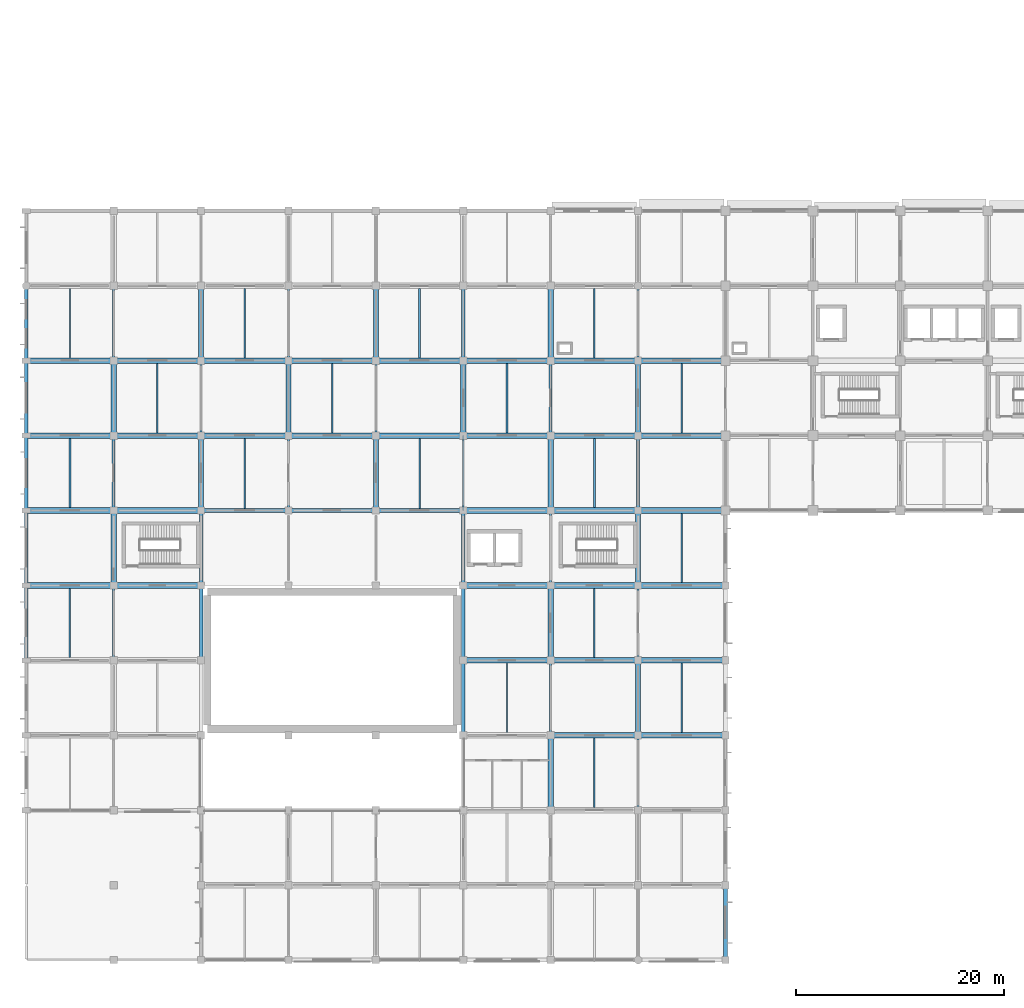
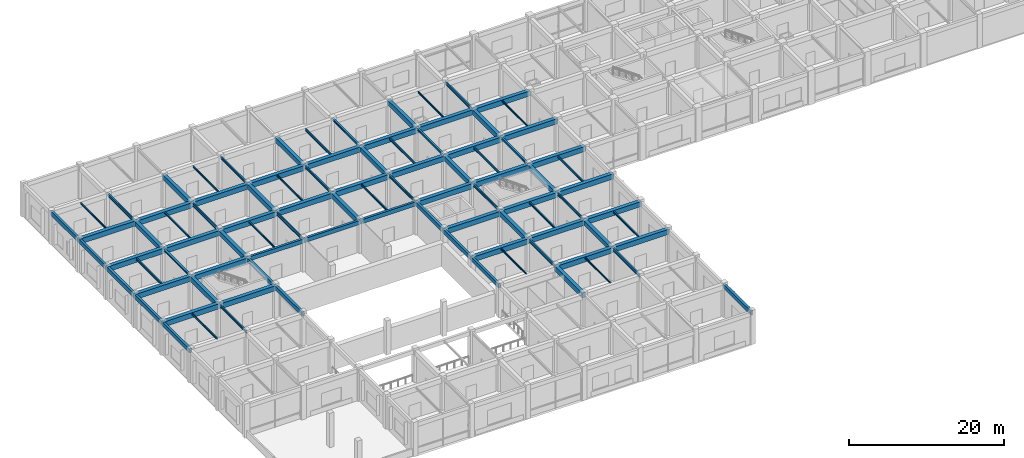
# One storey, part 5 of 41: 94 beams.
"""IFC4 building model written with IfcOpenShell, lengths in metres."""

from ifc_helpers import new_model, si_unit, derived_unit, direction, frame, origin, origin_2d, place, context, subcontext, project, spatial, rectangle, i_section, extrude, material, material_profile, profile_set, type_object, element, save


model = new_model("IFC4")

# Units and contexts
model_context = context("Model", 3, precision=1e-05, world=origin(), true_north=direction((0.0, 1.0)))
body_context = subcontext(model_context, "Body", "Model", "MODEL_VIEW")
ifc_project = project(units=[si_unit("LENGTHUNIT", "METRE"), si_unit("AREAUNIT", "SQUARE_METRE"), si_unit("VOLUMEUNIT", "CUBIC_METRE"), si_unit("PLANEANGLEUNIT", "RADIAN"), si_unit("MASSUNIT", "GRAM", prefix="KILO"), derived_unit("THERMALTRANSMITTANCEUNIT", [(si_unit("MASSUNIT", "GRAM", prefix="KILO"), 1), (si_unit("TIMEUNIT", "SECOND"), -3), (si_unit("THERMODYNAMICTEMPERATUREUNIT", "KELVIN"), -1)])], contexts=[model_context])

# Site, building, storey
site_placement = place(None, origin())
site = spatial("IfcSite", under=ifc_project, at=site_placement, CompositionType="ELEMENT")
building_placement = place(site_placement, origin())
building = spatial("IfcBuilding", under=site, at=building_placement, Name="Veldstrom Oceanarium and Marine Research Institute", CompositionType="ELEMENT")
storey_placement = place(building_placement, frame((0.0, 0.0, 6.0)))
storey = spatial("IfcBuildingStorey", under=building, at=storey_placement, Name="L01", CompositionType="ELEMENT", Elevation=6.0)

# Beams
ifc_material_1 = material(Name="Concrete C40/50", Category="concrete")
ifc_material_profile_1 = material_profile(ifc_material_1, rectangle(XDim=0.550048828125, YDim=0.800048828125, at=origin_2d()), Name="RC-BM-550x800")
ifc_profile_set_1 = profile_set([ifc_material_profile_1], Name="Concrete C40/50")
beam_type_1 = type_object("IfcBeamType", Name="STR-BM-B02", PredefinedType="BEAM", material=ifc_profile_set_1)
for number, where, z_axis, x_axis, name in (
    (1, (0.0, 36.0, 4.77001953125), (1.0, 0.0, 0.0), (0.0, 1.0, 0.0), "Primary Beam B02 L01-1135"),
    (2, (0.0, 43.199951171875, 4.77001953125), (1.0, 0.0, 0.0), (0.0, 1.0, 0.0), "Primary Beam B02 L01-1136"),
    (3, (0.0, 50.39990234375, 4.77001953125), (1.0, 0.0, 0.0), (0.0, 1.0, 0.0), "Primary Beam B02 L01-1137"),
    (4, (0.0, 57.60009765625, 4.77001953125), (1.0, 0.0, 0.0), (0.0, 1.0, 0.0), "Primary Beam B02 L01-1138"),
):
    element("IfcBeam", number, at=place(storey_placement, frame(where, z_axis=z_axis, x_axis=x_axis)), inside=storey, type_object=beam_type_1, Name=name, PredefinedType="BEAM", context=body_context, shape_type="SweptSolid", body=[
        extrude(rectangle(XDim=0.550048828125, YDim=0.800048828125, at=origin_2d()), origin(), (0.0, 0.0, 1.0), 8.39990234375),
    ])
for number, where, z_axis, x_axis, name in (
    (5, (8.39990234375, 36.0, 4.669921875), (1.0, 0.0, 0.0), (0.0, 1.0, 0.0), "Primary Beam B02 L01-1144"),
    (6, (8.39990234375, 43.199951171875, 4.669921875), (1.0, 0.0, 0.0), (0.0, 1.0, 0.0), "Primary Beam B02 L01-1145"),
    (7, (8.39990234375, 50.39990234375, 4.669921875), (1.0, 0.0, 0.0), (0.0, 1.0, 0.0), "Primary Beam B02 L01-1146"),
    (8, (8.39990234375, 57.60009765625, 4.669921875), (1.0, 0.0, 0.0), (0.0, 1.0, 0.0), "Primary Beam B02 L01-1147"),
):
    element("IfcBeam", number, at=place(storey_placement, frame(where, z_axis=z_axis, x_axis=x_axis)), inside=storey, type_object=beam_type_1, Name=name, PredefinedType="BEAM", context=body_context, shape_type="SweptSolid", body=[
        extrude(rectangle(XDim=0.550048828125, YDim=0.800048828125, at=origin_2d()), origin(), (0.0, 0.0, 1.0), 8.400146484375),
    ])
for number, where, z_axis, x_axis, name in (
    (9, (16.800048828125, 50.39990234375, 4.669921875), (1.0, 0.0, 0.0), (0.0, 1.0, 0.0), "Primary Beam B02 L01-1154"),
    (10, (16.800048828125, 57.60009765625, 4.669921875), (1.0, 0.0, 0.0), (0.0, 1.0, 0.0), "Primary Beam B02 L01-1155"),
):
    element("IfcBeam", number, at=place(storey_placement, frame(where, z_axis=z_axis, x_axis=x_axis)), inside=storey, type_object=beam_type_1, Name=name, PredefinedType="BEAM", context=body_context, shape_type="SweptSolid", body=[
        extrude(rectangle(XDim=0.550048828125, YDim=0.800048828125, at=origin_2d()), origin(), (0.0, 0.0, 1.0), 8.39990234375),
    ])
for number, where, z_axis, x_axis, name in (
    (11, (25.199951171875, 50.39990234375, 4.669921875), (1.0, 0.0, 0.0), (0.0, 1.0, 0.0), "Primary Beam B02 L01-1162"),
    (12, (25.199951171875, 57.60009765625, 4.669921875), (1.0, 0.0, 0.0), (0.0, 1.0, 0.0), "Primary Beam B02 L01-1163"),
):
    element("IfcBeam", number, at=place(storey_placement, frame(where, z_axis=z_axis, x_axis=x_axis)), inside=storey, type_object=beam_type_1, Name=name, PredefinedType="BEAM", context=body_context, shape_type="SweptSolid", body=[
        extrude(rectangle(XDim=0.550048828125, YDim=0.800048828125, at=origin_2d()), origin(), (0.0, 0.0, 1.0), 8.400146484375),
    ])
for number, where, z_axis, x_axis, name in (
    (13, (33.60009765625, 50.39990234375, 4.669921875), (1.0, 0.0, 0.0), (0.0, 1.0, 0.0), "Primary Beam B02 L01-1170"),
    (14, (33.60009765625, 57.60009765625, 4.669921875), (1.0, 0.0, 0.0), (0.0, 1.0, 0.0), "Primary Beam B02 L01-1171"),
    (15, (42.0, 28.800048828125, 4.669921875), (1.0, 0.0, 0.0), (0.0, 1.0, 0.0), "Primary Beam B02 L01-1178"),
    (16, (42.0, 36.0, 4.669921875), (1.0, 0.0, 0.0), (0.0, 1.0, 0.0), "Primary Beam B02 L01-1179"),
    (17, (42.0, 43.199951171875, 4.669921875), (1.0, 0.0, 0.0), (0.0, 1.0, 0.0), "Primary Beam B02 L01-1180"),
    (18, (42.0, 50.39990234375, 4.669921875), (1.0, 0.0, 0.0), (0.0, 1.0, 0.0), "Primary Beam B02 L01-1181"),
    (19, (42.0, 57.60009765625, 4.669921875), (1.0, 0.0, 0.0), (0.0, 1.0, 0.0), "Primary Beam B02 L01-1182"),
):
    element("IfcBeam", number, at=place(storey_placement, frame(where, z_axis=z_axis, x_axis=x_axis)), inside=storey, type_object=beam_type_1, Name=name, PredefinedType="BEAM", context=body_context, shape_type="SweptSolid", body=[
        extrude(rectangle(XDim=0.550048828125, YDim=0.800048828125, at=origin_2d()), origin(), (0.0, 0.0, 1.0), 8.39990234375),
    ])
for number, where, z_axis, x_axis, name in (
    (20, (50.39990234375, 21.60009765625, 4.669921875), (1.0, 0.0, 0.0), (0.0, 1.0, 0.0), "Primary Beam B02 L01-1188"),
    (21, (50.39990234375, 28.800048828125, 4.669921875), (1.0, 0.0, 0.0), (0.0, 1.0, 0.0), "Primary Beam B02 L01-1189"),
    (22, (50.39990234375, 36.0, 4.669921875), (1.0, 0.0, 0.0), (0.0, 1.0, 0.0), "Primary Beam B02 L01-1190"),
    (23, (50.39990234375, 43.199951171875, 4.669921875), (1.0, 0.0, 0.0), (0.0, 1.0, 0.0), "Primary Beam B02 L01-1191"),
    (24, (50.39990234375, 50.39990234375, 4.669921875), (1.0, 0.0, 0.0), (0.0, 1.0, 0.0), "Primary Beam B02 L01-1192"),
    (25, (50.39990234375, 57.60009765625, 4.669921875), (1.0, 0.0, 0.0), (0.0, 1.0, 0.0), "Primary Beam B02 L01-1193"),
):
    element("IfcBeam", number, at=place(storey_placement, frame(where, z_axis=z_axis, x_axis=x_axis)), inside=storey, type_object=beam_type_1, Name=name, PredefinedType="BEAM", context=body_context, shape_type="SweptSolid", body=[
        extrude(rectangle(XDim=0.550048828125, YDim=0.800048828125, at=origin_2d()), origin(), (0.0, 0.0, 1.0), 8.400146484375),
    ])
for number, where, z_axis, x_axis, name in (
    (26, (58.800048828125, 21.60009765625, 4.669921875), (1.0, 0.0, 0.0), (0.0, 1.0, 0.0), "Primary Beam B02 L01-1199"),
    (27, (58.800048828125, 28.800048828125, 4.669921875), (1.0, 0.0, 0.0), (0.0, 1.0, 0.0), "Primary Beam B02 L01-1200"),
    (28, (58.800048828125, 36.0, 4.669921875), (1.0, 0.0, 0.0), (0.0, 1.0, 0.0), "Primary Beam B02 L01-1201"),
    (29, (58.800048828125, 43.199951171875, 4.669921875), (1.0, 0.0, 0.0), (0.0, 1.0, 0.0), "Primary Beam B02 L01-1202"),
    (30, (58.800048828125, 50.39990234375, 4.669921875), (1.0, 0.0, 0.0), (0.0, 1.0, 0.0), "Primary Beam B02 L01-1203"),
    (31, (58.800048828125, 57.60009765625, 4.669921875), (1.0, 0.0, 0.0), (0.0, 1.0, 0.0), "Primary Beam B02 L01-1204"),
):
    element("IfcBeam", number, at=place(storey_placement, frame(where, z_axis=z_axis, x_axis=x_axis)), inside=storey, type_object=beam_type_1, Name=name, PredefinedType="BEAM", context=body_context, shape_type="SweptSolid", body=[
        extrude(rectangle(XDim=0.550048828125, YDim=0.800048828125, at=origin_2d()), origin(), (0.0, 0.0, 1.0), 8.39990234375),
    ])
ifc_material_2 = material(Name="Concrete C40/50", Category="concrete")
ifc_material_profile_2 = material_profile(ifc_material_2, rectangle(XDim=0.5, YDim=0.75, at=origin_2d()), Name="RC-BM-500x750")
ifc_profile_set_2 = profile_set([ifc_material_profile_2], Name="Concrete C40/50")
beam_type_2 = type_object("IfcBeamType", Name="STR-BM-B03", PredefinedType="BEAM", material=ifc_profile_set_2)
beam_1_placement = place(storey_placement, frame((8.39990234375, 36.0, 4.695068359375), z_axis=(0.0, 1.0, 0.0), x_axis=(-1.0, 0.0, 0.0)))
element("IfcBeam", 32, at=beam_1_placement, inside=storey, type_object=beam_type_2, Name="Primary Beam B03 L01-1296", PredefinedType="BEAM", context=body_context, shape_type="SweptSolid", body=[
    extrude(rectangle(XDim=0.5, YDim=0.75, at=origin_2d()), origin(), (0.0, 0.0, 1.0), 7.199951171875),
])
beam_2_placement = place(storey_placement, frame((8.39990234375, 50.39990234375, 4.695068359375), z_axis=(0.0, 1.0, 0.0), x_axis=(-1.0, 0.0, 0.0)))
element("IfcBeam", 33, at=beam_2_placement, inside=storey, type_object=beam_type_2, Name="Primary Beam B03 L01-1298", PredefinedType="BEAM", context=body_context, shape_type="SweptSolid", body=[
    extrude(rectangle(XDim=0.5, YDim=0.75, at=origin_2d()), origin(), (0.0, 0.0, 1.0), 7.2001953125),
])
for number, where, z_axis, x_axis, name in (
    (34, (16.800048828125, 43.199951171875, 4.695068359375), (0.0, 1.0, 0.0), (-1.0, 0.0, 0.0), "Primary Beam B03 L01-1307"),
    (35, (16.800048828125, 57.60009765625, 4.695068359375), (0.0, 1.0, 0.0), (-1.0, 0.0, 0.0), "Primary Beam B03 L01-1309"),
):
    element("IfcBeam", number, at=place(storey_placement, frame(where, z_axis=z_axis, x_axis=x_axis)), inside=storey, type_object=beam_type_2, Name=name, PredefinedType="BEAM", context=body_context, shape_type="SweptSolid", body=[
        extrude(rectangle(XDim=0.5, YDim=0.75, at=origin_2d()), origin(), (0.0, 0.0, 1.0), 7.199951171875),
    ])
beam_3_placement = place(storey_placement, frame((25.199951171875, 50.39990234375, 4.695068359375), z_axis=(0.0, 1.0, 0.0), x_axis=(-1.0, 0.0, 0.0)))
element("IfcBeam", 36, at=beam_3_placement, inside=storey, type_object=beam_type_2, Name="Primary Beam B03 L01-1314", PredefinedType="BEAM", context=body_context, shape_type="SweptSolid", body=[
    extrude(rectangle(XDim=0.5, YDim=0.75, at=origin_2d()), origin(), (0.0, 0.0, 1.0), 7.2001953125),
])
for number, where, z_axis, x_axis, name in (
    (37, (33.60009765625, 43.199951171875, 4.695068359375), (0.0, 1.0, 0.0), (-1.0, 0.0, 0.0), "Primary Beam B03 L01-1319"),
    (38, (33.60009765625, 57.60009765625, 4.695068359375), (0.0, 1.0, 0.0), (-1.0, 0.0, 0.0), "Primary Beam B03 L01-1321"),
):
    element("IfcBeam", number, at=place(storey_placement, frame(where, z_axis=z_axis, x_axis=x_axis)), inside=storey, type_object=beam_type_2, Name=name, PredefinedType="BEAM", context=body_context, shape_type="SweptSolid", body=[
        extrude(rectangle(XDim=0.5, YDim=0.75, at=origin_2d()), origin(), (0.0, 0.0, 1.0), 7.199951171875),
    ])
for number, where, z_axis, x_axis, name in (
    (39, (42.0, 50.39990234375, 4.695068359375), (0.0, 1.0, 0.0), (-1.0, 0.0, 0.0), "Primary Beam B03 L01-1330"),
    (40, (50.39990234375, 14.39990234375, 4.695068359375), (0.0, 1.0, 0.0), (-1.0, 0.0, 0.0), "Primary Beam B03 L01-1335"),
):
    element("IfcBeam", number, at=place(storey_placement, frame(where, z_axis=z_axis, x_axis=x_axis)), inside=storey, type_object=beam_type_2, Name=name, PredefinedType="BEAM", context=body_context, shape_type="SweptSolid", body=[
        extrude(rectangle(XDim=0.5, YDim=0.75, at=origin_2d()), origin(), (0.0, 0.0, 1.0), 7.2001953125),
    ])
for number, where, z_axis, x_axis, name in (
    (41, (50.39990234375, 28.800048828125, 4.695068359375), (0.0, 1.0, 0.0), (-1.0, 0.0, 0.0), "Primary Beam B03 L01-1337"),
    (42, (50.39990234375, 43.199951171875, 4.695068359375), (0.0, 1.0, 0.0), (-1.0, 0.0, 0.0), "Primary Beam B03 L01-1339"),
    (43, (50.39990234375, 57.60009765625, 4.695068359375), (0.0, 1.0, 0.0), (-1.0, 0.0, 0.0), "Primary Beam B03 L01-1341"),
    (44, (58.800048828125, 21.60009765625, 4.695068359375), (0.0, 1.0, 0.0), (-1.0, 0.0, 0.0), "Primary Beam B03 L01-1346"),
    (45, (58.800048828125, 36.0, 4.695068359375), (0.0, 1.0, 0.0), (-1.0, 0.0, 0.0), "Primary Beam B03 L01-1348"),
):
    element("IfcBeam", number, at=place(storey_placement, frame(where, z_axis=z_axis, x_axis=x_axis)), inside=storey, type_object=beam_type_2, Name=name, PredefinedType="BEAM", context=body_context, shape_type="SweptSolid", body=[
        extrude(rectangle(XDim=0.5, YDim=0.75, at=origin_2d()), origin(), (0.0, 0.0, 1.0), 7.199951171875),
    ])
beam_4_placement = place(storey_placement, frame((58.800048828125, 50.39990234375, 4.695068359375), z_axis=(0.0, 1.0, 0.0), x_axis=(-1.0, 0.0, 0.0)))
element("IfcBeam", 46, at=beam_4_placement, inside=storey, type_object=beam_type_2, Name="Primary Beam B03 L01-1350", PredefinedType="BEAM", context=body_context, shape_type="SweptSolid", body=[
    extrude(rectangle(XDim=0.5, YDim=0.75, at=origin_2d()), origin(), (0.0, 0.0, 1.0), 7.2001953125),
])
ifc_material_3 = material(Name="Steel S355JR", Category="steel")
ifc_material_profile_3 = material_profile(ifc_material_3, i_section(OverallWidth=0.300048828125, OverallDepth=0.2900390625, WebThickness=0.008544921875, FlangeThickness=0.013916015625, FilletRadius=0.027099609375, at=origin_2d()), Name="HEA 300")
ifc_profile_set_3 = profile_set([ifc_material_profile_3], Name="Steel S355JR")
beam_type_3 = type_object("IfcBeamType", Name="STR-BM-SB10", PredefinedType="BEAM", material=ifc_profile_set_3)
for number, where, z_axis, x_axis, name in (
    (47, (8.39990234375, 43.199951171875, 4.925048828125), (0.0, 1.0, 0.0), (-1.0, 0.0, 0.0), "Steel Tie Beam SB10 L01-1297"),
    (48, (42.0, 57.60009765625, 4.925048828125), (0.0, 1.0, 0.0), (-1.0, 0.0, 0.0), "Steel Tie Beam SB10 L01-1331"),
):
    element("IfcBeam", number, at=place(storey_placement, frame(where, z_axis=z_axis, x_axis=x_axis)), inside=storey, type_object=beam_type_3, Name=name, PredefinedType="BEAM", context=body_context, shape_type="SweptSolid", body=[
        extrude(i_section(OverallWidth=0.300048828125, OverallDepth=0.2900390625, WebThickness=0.008544921875, FlangeThickness=0.013916015625, FilletRadius=0.027099609375, at=origin_2d()), origin(), (0.0, 0.0, 1.0), 7.199951171875),
    ])
beam_5_placement = place(storey_placement, frame((50.39990234375, 50.39990234375, 4.925048828125), z_axis=(0.0, 1.0, 0.0), x_axis=(-1.0, 0.0, 0.0)))
element("IfcBeam", 49, at=beam_5_placement, inside=storey, type_object=beam_type_3, Name="Steel Tie Beam SB10 L01-1340", PredefinedType="BEAM", context=body_context, shape_type="SweptSolid", body=[
    extrude(i_section(OverallWidth=0.300048828125, OverallDepth=0.2900390625, WebThickness=0.008544921875, FlangeThickness=0.013916015625, FilletRadius=0.027099609375, at=origin_2d()), origin(), (0.0, 0.0, 1.0), 7.2001953125),
])
beam_6_placement = place(storey_placement, frame((58.800048828125, 43.199951171875, 4.925048828125), z_axis=(0.0, 1.0, 0.0), x_axis=(-1.0, 0.0, 0.0)))
element("IfcBeam", 50, at=beam_6_placement, inside=storey, type_object=beam_type_3, Name="Steel Tie Beam SB10 L01-1349", PredefinedType="BEAM", context=body_context, shape_type="SweptSolid", body=[
    extrude(i_section(OverallWidth=0.300048828125, OverallDepth=0.2900390625, WebThickness=0.008544921875, FlangeThickness=0.013916015625, FilletRadius=0.027099609375, at=origin_2d()), origin(), (0.0, 0.0, 1.0), 7.199951171875),
])
ifc_material_4 = material(Name="Steel S355JR", Category="steel")
ifc_material_profile_4 = material_profile(ifc_material_4, i_section(OverallWidth=0.199951171875, OverallDepth=0.5, WebThickness=0.01025390625, FlangeThickness=0.01611328125, FilletRadius=0.02099609375, at=origin_2d()), Name="IPE 500")
ifc_profile_set_4 = profile_set([ifc_material_profile_4], Name="Steel S355JR")
beam_type_4 = type_object("IfcBeamType", Name="STR-BM-SB6", PredefinedType="BEAM", material=ifc_profile_set_4)
beam_7_placement = place(storey_placement, frame((8.39990234375, 57.60009765625, 4.820068359375), z_axis=(0.0, 1.0, 0.0), x_axis=(-1.0, 0.0, 0.0)))
element("IfcBeam", 51, at=beam_7_placement, inside=storey, type_object=beam_type_4, Name="Steel Tie Beam SB6 L01-1299", PredefinedType="BEAM", context=body_context, shape_type="SweptSolid", body=[
    extrude(i_section(OverallWidth=0.199951171875, OverallDepth=0.5, WebThickness=0.01025390625, FlangeThickness=0.01611328125, FilletRadius=0.02099609375, at=origin_2d()), origin(), (0.0, 0.0, 1.0), 7.199951171875),
])
beam_8_placement = place(storey_placement, frame((16.800048828125, 50.39990234375, 4.820068359375), z_axis=(0.0, 1.0, 0.0), x_axis=(-1.0, 0.0, 0.0)))
element("IfcBeam", 52, at=beam_8_placement, inside=storey, type_object=beam_type_4, Name="Steel Tie Beam SB6 L01-1308", PredefinedType="BEAM", context=body_context, shape_type="SweptSolid", body=[
    extrude(i_section(OverallWidth=0.199951171875, OverallDepth=0.5, WebThickness=0.01025390625, FlangeThickness=0.01611328125, FilletRadius=0.02099609375, at=origin_2d()), origin(), (0.0, 0.0, 1.0), 7.2001953125),
])
for number, where, z_axis, x_axis, name in (
    (53, (25.199951171875, 43.199951171875, 4.820068359375), (0.0, 1.0, 0.0), (-1.0, 0.0, 0.0), "Steel Tie Beam SB6 L01-1313"),
    (54, (50.39990234375, 21.60009765625, 4.820068359375), (0.0, 1.0, 0.0), (-1.0, 0.0, 0.0), "Steel Tie Beam SB6 L01-1336"),
):
    element("IfcBeam", number, at=place(storey_placement, frame(where, z_axis=z_axis, x_axis=x_axis)), inside=storey, type_object=beam_type_4, Name=name, PredefinedType="BEAM", context=body_context, shape_type="SweptSolid", body=[
        extrude(i_section(OverallWidth=0.199951171875, OverallDepth=0.5, WebThickness=0.01025390625, FlangeThickness=0.01611328125, FilletRadius=0.02099609375, at=origin_2d()), origin(), (0.0, 0.0, 1.0), 7.199951171875),
    ])
beam_9_placement = place(storey_placement, frame((58.800048828125, 14.39990234375, 4.820068359375), z_axis=(0.0, 1.0, 0.0), x_axis=(-1.0, 0.0, 0.0)))
element("IfcBeam", 55, at=beam_9_placement, inside=storey, type_object=beam_type_4, Name="Steel Tie Beam SB6 L01-1345", PredefinedType="BEAM", context=body_context, shape_type="SweptSolid", body=[
    extrude(i_section(OverallWidth=0.199951171875, OverallDepth=0.5, WebThickness=0.01025390625, FlangeThickness=0.01611328125, FilletRadius=0.02099609375, at=origin_2d()), origin(), (0.0, 0.0, 1.0), 7.2001953125),
])
beam_10_placement = place(storey_placement, frame((58.800048828125, 57.60009765625, 4.820068359375), z_axis=(0.0, 1.0, 0.0), x_axis=(-1.0, 0.0, 0.0)))
element("IfcBeam", 56, at=beam_10_placement, inside=storey, type_object=beam_type_4, Name="Steel Tie Beam SB6 L01-1351", PredefinedType="BEAM", context=body_context, shape_type="SweptSolid", body=[
    extrude(i_section(OverallWidth=0.199951171875, OverallDepth=0.5, WebThickness=0.01025390625, FlangeThickness=0.01611328125, FilletRadius=0.02099609375, at=origin_2d()), origin(), (0.0, 0.0, 1.0), 7.199951171875),
])
ifc_material_5 = material(Name="Steel S355JR", Category="steel")
ifc_material_profile_5 = material_profile(ifc_material_5, i_section(OverallWidth=0.179931640625, OverallDepth=0.39990234375, WebThickness=0.008544921875, FlangeThickness=0.013427734375, FilletRadius=0.02099609375, at=origin_2d()), Name="IPE 400")
ifc_profile_set_5 = profile_set([ifc_material_profile_5], Name="Steel S355JR")
beam_type_5 = type_object("IfcBeamType", Name="STR-BM-SB8", PredefinedType="BEAM", material=ifc_profile_set_5)
for number, where, z_axis, x_axis, name in (
    (57, (8.39990234375, 28.800048828125, 4.8701171875), (0.0, 1.0, 0.0), (-1.0, 0.0, 0.0), "Steel Tie Beam SB8 L01-1295"),
    (58, (25.199951171875, 57.60009765625, 4.8701171875), (0.0, 1.0, 0.0), (-1.0, 0.0, 0.0), "Steel Tie Beam SB8 L01-1315"),
):
    element("IfcBeam", number, at=place(storey_placement, frame(where, z_axis=z_axis, x_axis=x_axis)), inside=storey, type_object=beam_type_5, Name=name, PredefinedType="BEAM", context=body_context, shape_type="SweptSolid", body=[
        extrude(i_section(OverallWidth=0.179931640625, OverallDepth=0.39990234375, WebThickness=0.008544921875, FlangeThickness=0.013427734375, FilletRadius=0.02099609375, at=origin_2d()), origin(), (0.0, 0.0, 1.0), 7.199951171875),
    ])
beam_11_placement = place(storey_placement, frame((33.60009765625, 50.39990234375, 4.8701171875), z_axis=(0.0, 1.0, 0.0), x_axis=(-1.0, 0.0, 0.0)))
element("IfcBeam", 59, at=beam_11_placement, inside=storey, type_object=beam_type_5, Name="Steel Tie Beam SB8 L01-1320", PredefinedType="BEAM", context=body_context, shape_type="SweptSolid", body=[
    extrude(i_section(OverallWidth=0.179931640625, OverallDepth=0.39990234375, WebThickness=0.008544921875, FlangeThickness=0.013427734375, FilletRadius=0.02099609375, at=origin_2d()), origin(), (0.0, 0.0, 1.0), 7.2001953125),
])
for number, where, z_axis, x_axis, name in (
    (60, (42.0, 43.199951171875, 4.8701171875), (0.0, 1.0, 0.0), (-1.0, 0.0, 0.0), "Steel Tie Beam SB8 L01-1329"),
    (61, (50.39990234375, 36.0, 4.8701171875), (0.0, 1.0, 0.0), (-1.0, 0.0, 0.0), "Steel Tie Beam SB8 L01-1338"),
    (62, (58.800048828125, 28.800048828125, 4.8701171875), (0.0, 1.0, 0.0), (-1.0, 0.0, 0.0), "Steel Tie Beam SB8 L01-1347"),
):
    element("IfcBeam", number, at=place(storey_placement, frame(where, z_axis=z_axis, x_axis=x_axis)), inside=storey, type_object=beam_type_5, Name=name, PredefinedType="BEAM", context=body_context, shape_type="SweptSolid", body=[
        extrude(i_section(OverallWidth=0.179931640625, OverallDepth=0.39990234375, WebThickness=0.008544921875, FlangeThickness=0.013427734375, FilletRadius=0.02099609375, at=origin_2d()), origin(), (0.0, 0.0, 1.0), 7.199951171875),
    ])
ifc_material_6 = material(Name="Steel S355JR", Category="steel")
ifc_material_profile_6 = material_profile(ifc_material_6, i_section(OverallWidth=0.169921875, OverallDepth=0.360107421875, WebThickness=0.008056640625, FlangeThickness=0.0126953125, FilletRadius=0.01806640625, at=origin_2d()), Name="IPE 360")
ifc_profile_set_6 = profile_set([ifc_material_profile_6], Name="Steel S355JR")
beam_type_6 = type_object("IfcBeamType", Name="STR-JST-SJ1", PredefinedType="JOIST", material=ifc_profile_set_6)
for number, where, z_axis, x_axis, name in (
    (63, (4.199951171875, 43.47509765625, 4.989990234375), (0.0, 1.0, 0.0), (-1.0, 0.0, 0.0), "Secondary Joist SJ1 L01-1434"),
    (64, (37.800048828125, 57.875, 4.889892578125), (0.0, 1.0, 0.0), (-1.0, 0.0, 0.0), "Secondary Joist SJ1 L01-1447"),
    (65, (46.199951171875, 50.675048828125, 4.889892578125), (0.0, 1.0, 0.0), (-1.0, 0.0, 0.0), "Secondary Joist SJ1 L01-1450"),
    (66, (54.60009765625, 43.47509765625, 4.889892578125), (0.0, 1.0, 0.0), (-1.0, 0.0, 0.0), "Secondary Joist SJ1 L01-1455"),
):
    element("IfcBeam", number, at=place(storey_placement, frame(where, z_axis=z_axis, x_axis=x_axis)), inside=storey, type_object=beam_type_6, Name=name, PredefinedType="JOIST", context=body_context, shape_type="SweptSolid", body=[
        extrude(i_section(OverallWidth=0.169921875, OverallDepth=0.360107421875, WebThickness=0.008056640625, FlangeThickness=0.0126953125, FilletRadius=0.01806640625, at=origin_2d()), origin(), (0.0, 0.0, 1.0), 6.64990234375),
    ])
beam_12_placement = place(storey_placement, frame((63.0, 36.27490234375, 4.889892578125), z_axis=(0.0, 1.0, 0.0), x_axis=(-1.0, 0.0, 0.0)))
element("IfcBeam", 67, at=beam_12_placement, inside=storey, type_object=beam_type_6, Name="Secondary Joist SJ1 L01-1459", PredefinedType="JOIST", context=body_context, shape_type="SweptSolid", body=[
    extrude(i_section(OverallWidth=0.169921875, OverallDepth=0.360107421875, WebThickness=0.008056640625, FlangeThickness=0.0126953125, FilletRadius=0.01806640625, at=origin_2d()), origin(), (0.0, 0.0, 1.0), 6.650146484375),
])
ifc_material_7 = material(Name="Steel S355JR", Category="steel")
ifc_material_profile_7 = material_profile(ifc_material_7, i_section(OverallWidth=0.14990234375, OverallDepth=0.300048828125, WebThickness=0.007080078125, FlangeThickness=0.0107421875, FilletRadius=0.014892578125, at=origin_2d()), Name="IPE 300")
ifc_profile_set_7 = profile_set([ifc_material_profile_7], Name="Steel S355JR")
beam_type_7 = type_object("IfcBeamType", Name="STR-JST-SJ2", PredefinedType="JOIST", material=ifc_profile_set_7)
beam_13_placement = place(storey_placement, frame((4.199951171875, 29.074951171875, 5.02001953125), z_axis=(0.0, 1.0, 0.0), x_axis=(-1.0, 0.0, 0.0)))
element("IfcBeam", 68, at=beam_13_placement, inside=storey, type_object=beam_type_7, Name="Secondary Joist SJ2 L01-1433", PredefinedType="JOIST", context=body_context, shape_type="SweptSolid", body=[
    extrude(i_section(OverallWidth=0.14990234375, OverallDepth=0.300048828125, WebThickness=0.007080078125, FlangeThickness=0.0107421875, FilletRadius=0.014892578125, at=origin_2d()), origin(), (0.0, 0.0, 1.0), 6.650146484375),
])
for number, where, z_axis, x_axis, name in (
    (69, (21.0, 57.875, 4.919921875), (0.0, 1.0, 0.0), (-1.0, 0.0, 0.0), "Secondary Joist SJ2 L01-1441"),
    (70, (29.39990234375, 50.675048828125, 4.919921875), (0.0, 1.0, 0.0), (-1.0, 0.0, 0.0), "Secondary Joist SJ2 L01-1443"),
):
    element("IfcBeam", number, at=place(storey_placement, frame(where, z_axis=z_axis, x_axis=x_axis)), inside=storey, type_object=beam_type_7, Name=name, PredefinedType="JOIST", context=body_context, shape_type="SweptSolid", body=[
        extrude(i_section(OverallWidth=0.14990234375, OverallDepth=0.300048828125, WebThickness=0.007080078125, FlangeThickness=0.0107421875, FilletRadius=0.014892578125, at=origin_2d()), origin(), (0.0, 0.0, 1.0), 6.64990234375),
    ])
beam_14_placement = place(storey_placement, frame((37.800048828125, 43.375, 4.919921875), z_axis=(0.0, 1.0, 0.0), x_axis=(-1.0, 0.0, 0.0)))
element("IfcBeam", 71, at=beam_14_placement, inside=storey, type_object=beam_type_7, Name="Secondary Joist SJ2 L01-1446", PredefinedType="JOIST", context=body_context, shape_type="SweptSolid", body=[
    extrude(i_section(OverallWidth=0.14990234375, OverallDepth=0.300048828125, WebThickness=0.007080078125, FlangeThickness=0.0107421875, FilletRadius=0.014892578125, at=origin_2d()), origin(), (0.0, 0.0, 1.0), 6.75),
])
beam_15_placement = place(storey_placement, frame((54.60009765625, 29.074951171875, 4.919921875), z_axis=(0.0, 1.0, 0.0), x_axis=(-1.0, 0.0, 0.0)))
element("IfcBeam", 72, at=beam_15_placement, inside=storey, type_object=beam_type_7, Name="Secondary Joist SJ2 L01-1454", PredefinedType="JOIST", context=body_context, shape_type="SweptSolid", body=[
    extrude(i_section(OverallWidth=0.14990234375, OverallDepth=0.300048828125, WebThickness=0.007080078125, FlangeThickness=0.0107421875, FilletRadius=0.014892578125, at=origin_2d()), origin(), (0.0, 0.0, 1.0), 6.650146484375),
])
beam_16_placement = place(storey_placement, frame((63.0, 21.875, 4.919921875), z_axis=(0.0, 1.0, 0.0), x_axis=(-1.0, 0.0, 0.0)))
element("IfcBeam", 73, at=beam_16_placement, inside=storey, type_object=beam_type_7, Name="Secondary Joist SJ2 L01-1458", PredefinedType="JOIST", context=body_context, shape_type="SweptSolid", body=[
    extrude(i_section(OverallWidth=0.14990234375, OverallDepth=0.300048828125, WebThickness=0.007080078125, FlangeThickness=0.0107421875, FilletRadius=0.014892578125, at=origin_2d()), origin(), (0.0, 0.0, 1.0), 6.64990234375),
])
ifc_material_8 = material(Name="Steel S355JR", Category="steel")
ifc_material_profile_8 = material_profile(ifc_material_8, i_section(OverallWidth=0.135009765625, OverallDepth=0.27001953125, WebThickness=0.006591796875, FlangeThickness=0.01025390625, FilletRadius=0.014892578125, at=origin_2d()), Name="IPE 270")
ifc_profile_set_8 = profile_set([ifc_material_profile_8], Name="Steel S355JR")
beam_type_8 = type_object("IfcBeamType", Name="STR-JST-SJ3", PredefinedType="JOIST", material=ifc_profile_set_8)
for number, where, z_axis, x_axis, name in (
    (74, (4.199951171875, 57.875, 5.034912109375), (0.0, 1.0, 0.0), (-1.0, 0.0, 0.0), "Secondary Joist SJ3 L01-1435"),
    (75, (12.60009765625, 50.675048828125, 4.93505859375), (0.0, 1.0, 0.0), (-1.0, 0.0, 0.0), "Secondary Joist SJ3 L01-1437"),
):
    element("IfcBeam", number, at=place(storey_placement, frame(where, z_axis=z_axis, x_axis=x_axis)), inside=storey, type_object=beam_type_8, Name=name, PredefinedType="JOIST", context=body_context, shape_type="SweptSolid", body=[
        extrude(i_section(OverallWidth=0.135009765625, OverallDepth=0.27001953125, WebThickness=0.006591796875, FlangeThickness=0.01025390625, FilletRadius=0.014892578125, at=origin_2d()), origin(), (0.0, 0.0, 1.0), 6.64990234375),
    ])
beam_17_placement = place(storey_placement, frame((21.0, 43.375, 4.93505859375), z_axis=(0.0, 1.0, 0.0), x_axis=(-1.0, 0.0, 0.0)))
element("IfcBeam", 76, at=beam_17_placement, inside=storey, type_object=beam_type_8, Name="Secondary Joist SJ3 L01-1440", PredefinedType="JOIST", context=body_context, shape_type="SweptSolid", body=[
    extrude(i_section(OverallWidth=0.135009765625, OverallDepth=0.27001953125, WebThickness=0.006591796875, FlangeThickness=0.01025390625, FilletRadius=0.014892578125, at=origin_2d()), origin(), (0.0, 0.0, 1.0), 6.75),
])
for number, where, z_axis, x_axis, name in (
    (77, (46.199951171875, 21.875, 4.93505859375), (0.0, 1.0, 0.0), (-1.0, 0.0, 0.0), "Secondary Joist SJ3 L01-1449"),
    (78, (54.60009765625, 14.675048828125, 4.93505859375), (0.0, 1.0, 0.0), (-1.0, 0.0, 0.0), "Secondary Joist SJ3 L01-1453"),
    (79, (54.60009765625, 57.875, 4.93505859375), (0.0, 1.0, 0.0), (-1.0, 0.0, 0.0), "Secondary Joist SJ3 L01-1456"),
    (80, (63.0, 50.675048828125, 4.93505859375), (0.0, 1.0, 0.0), (-1.0, 0.0, 0.0), "Secondary Joist SJ3 L01-1460"),
):
    element("IfcBeam", number, at=place(storey_placement, frame(where, z_axis=z_axis, x_axis=x_axis)), inside=storey, type_object=beam_type_8, Name=name, PredefinedType="JOIST", context=body_context, shape_type="SweptSolid", body=[
        extrude(i_section(OverallWidth=0.135009765625, OverallDepth=0.27001953125, WebThickness=0.006591796875, FlangeThickness=0.01025390625, FilletRadius=0.014892578125, at=origin_2d()), origin(), (0.0, 0.0, 1.0), 6.64990234375),
    ])
ifc_material_9 = material(Name="Concrete C40/50", Category="concrete")
ifc_material_profile_9 = material_profile(ifc_material_9, rectangle(XDim=0.35009765625, YDim=0.64990234375, at=origin_2d()), Name="RC-SPN-350x650")
ifc_profile_set_9 = profile_set([ifc_material_profile_9], Name="Concrete C40/50")
beam_type_9 = type_object("IfcBeamType", Name="STR-SPN-SP1", PredefinedType="SPANDREL", material=ifc_profile_set_9)
beam_18_placement = place(storey_placement, frame((16.800048828125, 43.199951171875, 4.7451171875), z_axis=(1.0, 0.0, 0.0), x_axis=(0.0, 1.0, 0.0)))
element("IfcBeam", 81, at=beam_18_placement, inside=storey, type_object=beam_type_9, Name="Perimeter Spandrel SPB1 L01-1153", PredefinedType="SPANDREL", context=body_context, shape_type="SweptSolid", body=[
    extrude(rectangle(XDim=0.35009765625, YDim=0.64990234375, at=origin_2d()), origin(), (0.0, 0.0, 1.0), 8.39990234375),
])
beam_19_placement = place(storey_placement, frame((25.199951171875, 43.199951171875, 4.7451171875), z_axis=(1.0, 0.0, 0.0), x_axis=(0.0, 1.0, 0.0)))
element("IfcBeam", 82, at=beam_19_placement, inside=storey, type_object=beam_type_9, Name="Perimeter Spandrel SPB1 L01-1161", PredefinedType="SPANDREL", context=body_context, shape_type="SweptSolid", body=[
    extrude(rectangle(XDim=0.35009765625, YDim=0.64990234375, at=origin_2d()), origin(), (0.0, 0.0, 1.0), 8.400146484375),
])
beam_20_placement = place(storey_placement, frame((33.60009765625, 43.199951171875, 4.7451171875), z_axis=(1.0, 0.0, 0.0), x_axis=(0.0, 1.0, 0.0)))
element("IfcBeam", 83, at=beam_20_placement, inside=storey, type_object=beam_type_9, Name="Perimeter Spandrel SPB1 L01-1169", PredefinedType="SPANDREL", context=body_context, shape_type="SweptSolid", body=[
    extrude(rectangle(XDim=0.35009765625, YDim=0.64990234375, at=origin_2d()), origin(), (0.0, 0.0, 1.0), 8.39990234375),
])
for number, where, z_axis, x_axis, name in (
    (84, (0.0, 28.800048828125, 4.844970703125), (0.0, 1.0, 0.0), (-1.0, 0.0, 0.0), "Perimeter Spandrel SPB1 L01-1287"),
    (85, (0.0, 36.0, 4.844970703125), (0.0, 1.0, 0.0), (-1.0, 0.0, 0.0), "Perimeter Spandrel SPB1 L01-1288"),
    (86, (0.0, 43.199951171875, 4.844970703125), (0.0, 1.0, 0.0), (-1.0, 0.0, 0.0), "Perimeter Spandrel SPB1 L01-1289"),
):
    element("IfcBeam", number, at=place(storey_placement, frame(where, z_axis=z_axis, x_axis=x_axis)), inside=storey, type_object=beam_type_9, Name=name, PredefinedType="SPANDREL", context=body_context, shape_type="SweptSolid", body=[
        extrude(rectangle(XDim=0.35009765625, YDim=0.64990234375, at=origin_2d()), origin(), (0.0, 0.0, 1.0), 7.199951171875),
    ])
beam_21_placement = place(storey_placement, frame((0.0, 50.39990234375, 4.844970703125), z_axis=(0.0, 1.0, 0.0), x_axis=(-1.0, 0.0, 0.0)))
element("IfcBeam", 87, at=beam_21_placement, inside=storey, type_object=beam_type_9, Name="Perimeter Spandrel SPB1 L01-1290", PredefinedType="SPANDREL", context=body_context, shape_type="SweptSolid", body=[
    extrude(rectangle(XDim=0.35009765625, YDim=0.64990234375, at=origin_2d()), origin(), (0.0, 0.0, 1.0), 7.2001953125),
])
for number, where, z_axis, x_axis, name in (
    (88, (0.0, 57.60009765625, 4.844970703125), (0.0, 1.0, 0.0), (-1.0, 0.0, 0.0), "Perimeter Spandrel SPB1 L01-1291"),
    (89, (16.800048828125, 28.800048828125, 4.7451171875), (0.0, 1.0, 0.0), (-1.0, 0.0, 0.0), "Perimeter Spandrel SPB1 L01-1305"),
    (90, (16.800048828125, 36.0, 4.7451171875), (0.0, 1.0, 0.0), (-1.0, 0.0, 0.0), "Perimeter Spandrel SPB1 L01-1306"),
    (91, (42.0, 21.60009765625, 4.7451171875), (0.0, 1.0, 0.0), (-1.0, 0.0, 0.0), "Perimeter Spandrel SPB1 L01-1326"),
    (92, (42.0, 28.800048828125, 4.7451171875), (0.0, 1.0, 0.0), (-1.0, 0.0, 0.0), "Perimeter Spandrel SPB1 L01-1327"),
    (93, (42.0, 36.0, 4.7451171875), (0.0, 1.0, 0.0), (-1.0, 0.0, 0.0), "Perimeter Spandrel SPB1 L01-1328"),
    (94, (67.199951171875, 0.0, 4.7451171875), (0.0, 1.0, 0.0), (-1.0, 0.0, 0.0), "Perimeter Spandrel SPB1 L01-1353"),
):
    element("IfcBeam", number, at=place(storey_placement, frame(where, z_axis=z_axis, x_axis=x_axis)), inside=storey, type_object=beam_type_9, Name=name, PredefinedType="SPANDREL", context=body_context, shape_type="SweptSolid", body=[
        extrude(rectangle(XDim=0.35009765625, YDim=0.64990234375, at=origin_2d()), origin(), (0.0, 0.0, 1.0), 7.199951171875),
    ])

save(model, "model.ifc")
